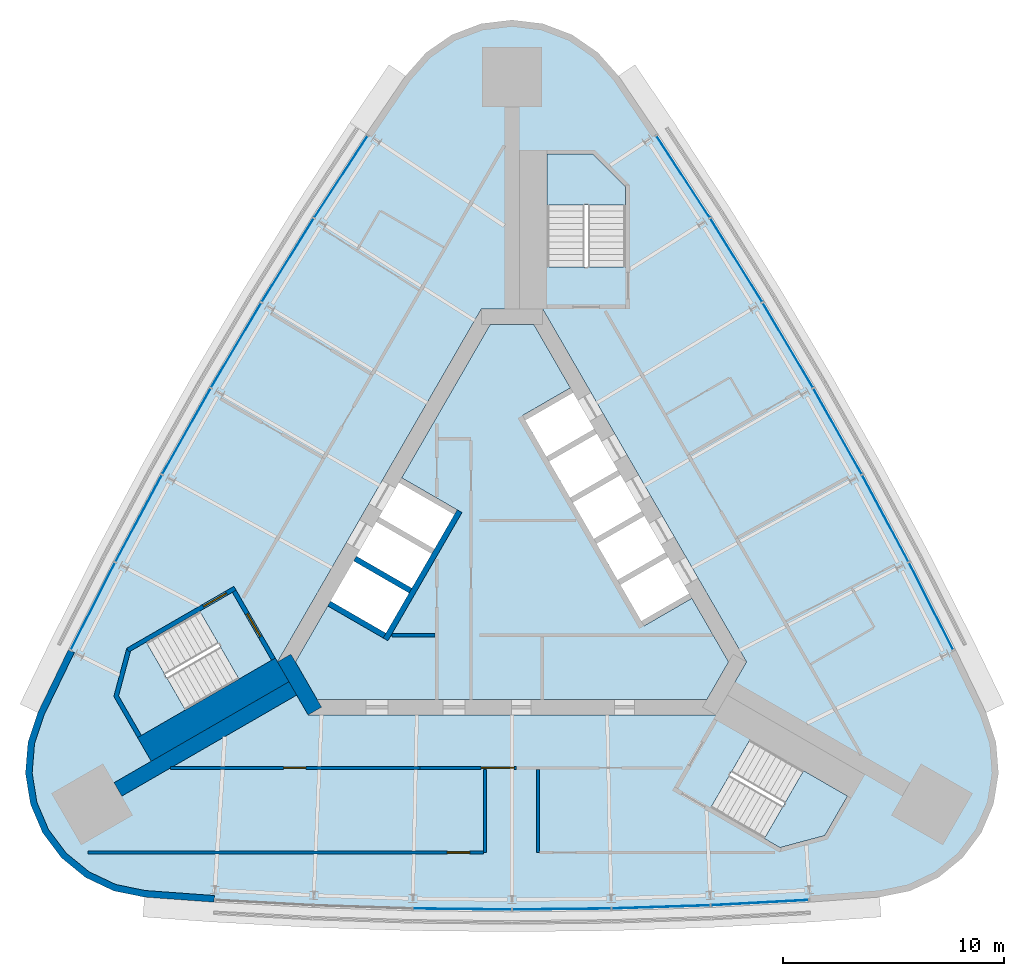
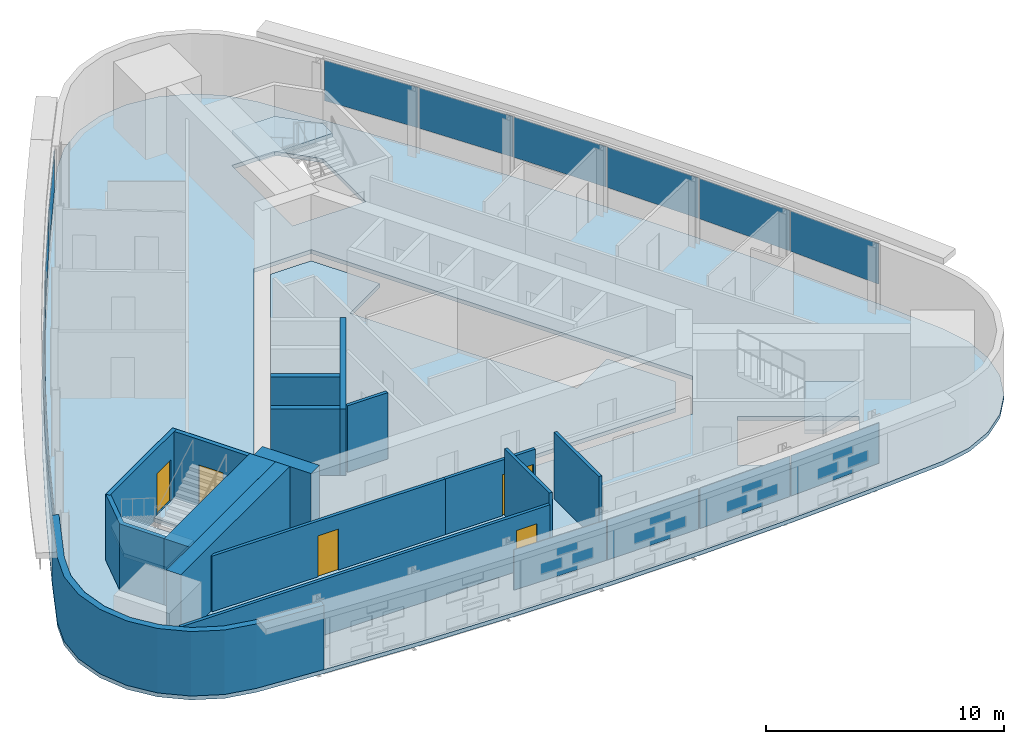
# One storey, part 6 of 10: 16 plates, 16 walls, 5 doors, 5 slabs, 5 openings, 6 elements without a shape of their own.
"""IFC4 building model written with IfcOpenShell, lengths in metres."""

from ifc_helpers import new_model, si_unit, direction, frame, frame_2d, origin, origin_2d, place, context, subcontext, project, spatial, polyline, rectangle, outline, extrude, material, layer, layer_set, type_object, element, fill, aggregate, save


model = new_model("IFC4")

# Units and contexts
model_context = context("Model", 3, precision=1e-05, world=origin(), true_north=direction((0.0, 1.0)))
body_context = subcontext(model_context, "Body", "Model", "MODEL_VIEW")
ifc_project = project(units=[si_unit("LENGTHUNIT", "METRE"), si_unit("AREAUNIT", "SQUARE_METRE"), si_unit("VOLUMEUNIT", "CUBIC_METRE"), si_unit("PLANEANGLEUNIT", "RADIAN"), si_unit("MASSUNIT", "GRAM", prefix="KILO")], contexts=[model_context])

# Site, building, storey
site_placement = place(None, origin())
site = spatial("IfcSite", under=ifc_project, at=site_placement, CompositionType="ELEMENT")
building_placement = place(site_placement, origin())
building = spatial("IfcBuilding", under=site, at=building_placement, Name="Noor Cloister Tower", CompositionType="ELEMENT")
storey_placement = place(building_placement, frame((0.0, 0.0, 195.89990234375)))
storey = spatial("IfcBuildingStorey", under=building, at=storey_placement, Name="L50", CompositionType="ELEMENT", Elevation=195.89990234375)

# Slabs
ifc_material_1 = material(Name="Concrete C40/50", Category="concrete")
ifc_layer_1 = layer(ifc_material_1, 0.199951171875)
ifc_layer_set_1 = layer_set([ifc_layer_1], Name="Core floor slab 200 C40/50")
slab_type_1 = type_object("IfcSlabType", Name="Core floor slab 200 C40/50", PredefinedType="FLOOR", material=ifc_layer_set_1)
slab_1_placement = place(storey_placement, frame((0.0, 0.0, -0.199951171875)))
element("IfcSlab", 1, at=slab_1_placement, inside=storey, type_object=slab_type_1, Name="Core floor L50", PredefinedType="FLOOR", context=body_context, shape_type="SweptSolid", body=[
    extrude(outline(polyline([(2.643798828125, 7.877197265625), (0.9814453125, 10.75634765625), (-0.9814453125, 10.75634765625), (-4.993896484375, 3.806884765625), (-2.482421875, 2.35693359375), (-5.832275390625, -3.4453125), (-8.34375, -1.995361328125), (-9.80615234375, -4.5283203125), (-8.82470703125, -6.228271484375), (8.82470703125, -6.228271484375), (9.80615234375, -4.5283203125), (8.143798828125, -1.64892578125), (5.978759765625, -2.89892578125), (0.478759765625, 6.627197265625), (2.643798828125, 7.877197265625)])), origin(), (0.0, 0.0, 1.0), 0.199951171875),
])
ifc_material_2 = material(Name="Concrete C40/50", Category="concrete")
ifc_layer_2 = layer(ifc_material_2, 0.199951171875)
ifc_layer_set_2 = layer_set([ifc_layer_2], Name="Floor slab 200 C40/50")
slab_type_2 = type_object("IfcSlabType", Name="Floor slab 200 C40/50", PredefinedType="FLOOR", material=ifc_layer_set_2)
slab_2_placement = place(storey_placement, frame((0.0, 0.0, -0.199951171875)))
element("IfcSlab", 2, at=slab_2_placement, inside=storey, type_object=slab_type_2, Name="Floor slab L50", PredefinedType="FLOOR", context=body_context, shape_type="SweptSolid", body=[
    extrude(outline(polyline([(4.82177734375, 21.9990234375), (3.88525390625, 23.056884765625), (2.72314453125, 23.859619140625), (1.40234375, 24.36083984375), (0.0, 24.531005859375), (-1.40234375, 24.36083984375), (-2.72314453125, 23.859619140625), (-3.88525390625, 23.056884765625), (-4.82177734375, 21.9990234375), (-6.59521484375, 19.38525390625), (-9.052490234375, 15.615478515625), (-11.427734375, 11.79345703125), (-13.7197265625, 7.921142578125), (-15.927490234375, 4.0), (-18.0498046875, 0.031982421875), (-20.085693359375, -3.98095703125), (-21.462646484375, -6.823974609375), (-21.910400390625, -8.16357421875), (-22.024658203125, -9.571533203125), (-21.798095703125, -10.966064453125), (-21.24462890625, -12.265625), (-20.39599609375, -13.394775390625), (-19.301513671875, -14.2880859375), (-18.025146484375, -14.893310546875), (-16.640869140625, -15.17529296875), (-13.490478515625, -15.404052734375), (-8.9970703125, -15.6474609375), (-4.499755859375, -15.79345703125), (0.0, -15.84228515625), (4.499755859375, -15.79345703125), (8.9970703125, -15.6474609375), (13.490478515625, -15.404052734375), (16.640869140625, -15.17529296875), (18.025146484375, -14.893310546875), (19.301513671875, -14.2880859375), (20.39599609375, -13.394775390625), (21.24462890625, -12.265625), (21.798095703125, -10.966064453125), (22.024658203125, -9.571533203125), (21.910400390625, -8.16357421875), (21.462646484375, -6.823974609375), (20.085693359375, -3.98095703125), (18.0498046875, 0.031982421875), (15.927490234375, 4.0), (13.7197265625, 7.921142578125), (11.427734375, 11.79345703125), (9.052490234375, 15.615478515625), (6.59521484375, 19.38525390625), (4.82177734375, 21.9990234375)]), holes=[polyline([(8.999755859375, -11.126220703125), (12.131591796875, -12.934326171875), (14.1572265625, -12.3916015625), (15.19091796875, -10.601318359375), (10.774658203125, -8.0517578125), (8.999755859375, -11.126220703125)]), polyline([(-17.81005859375, -6.064697265625), (-16.776611328125, -7.85498046875), (-12.3603515625, -5.305419921875), (-14.13525390625, -2.23095703125), (-16.662841796875, -3.690185546875), (-17.267333984375, -4.039306640625), (-17.81005859375, -6.064697265625)]), polyline([(-10.6142578125, -4.5283203125), (-9.228759765625, -6.92822265625), (9.228759765625, -6.92822265625), (10.6142578125, -4.5283203125), (1.3857421875, 11.456298828125), (-1.3857421875, 11.456298828125), (-10.6142578125, -4.5283203125)]), polyline([(3.65283203125, 18.456298828125), (1.585693359375, 18.456298828125), (1.585693359375, 13.35693359375), (5.135498046875, 13.35693359375), (5.135498046875, 16.9736328125), (3.65283203125, 18.456298828125)])]), origin(), (0.0, 0.0, 1.0), 0.199951171875),
])

# Curtain wall, plates
ifc_material_3 = material(Name="Aluminium 6063-T6 anodised", Category="aluminium")
curtain_wall_type = type_object("IfcCurtainWallType", Name="Ribbon curtain wall, upper tower CW5", PredefinedType="NOTDEFINED", material=ifc_material_3)
curtain_wall_1_placement = place(storey_placement, origin())
curtain_wall_1 = element("IfcCurtainWall", 3, at=curtain_wall_1_placement, inside=storey, type_object=curtain_wall_type, Name="CW5 L50 NW run 1", PredefinedType="NOTDEFINED")
ifc_material_4 = material(Name="Clear laminated glass 2 x 8 mm", Category="glass")
ifc_layer_3 = layer(ifc_material_4, 0.028076171875)
ifc_layer_set_3 = layer_set([ifc_layer_3], Name="Glass panel CW5")
plate_type = type_object("IfcPlateType", Name="Glass panel CW5", PredefinedType="CURTAIN_PANEL", material=ifc_layer_set_3)
plate_1_placement = place(storey_placement, frame((-7.749267578125, 17.431640625, 1.08984375), z_axis=(0.0, 0.0, 1.0), x_axis=(-0.546098188804, -0.837721175681, 0.0)))
plate_1 = element("IfcPlate", 4, at=plate_1_placement, type_object=plate_type, Name="CW5 glass panel 1", PredefinedType="CURTAIN_PANEL", context=body_context, shape_type="SweptSolid", body=[
    extrude(rectangle(XDim=4.413818359375, YDim=0.028076171875, at=origin_2d()), origin(), (0.0, 0.0, 1.0), 2.070068359375),
])
plate_2_placement = place(storey_placement, frame((-10.1552734375, 13.65185546875, 1.08984375), z_axis=(0.0, 0.0, 1.0), x_axis=(-0.527843214256, -0.84934182822, 0.0)))
plate_2 = element("IfcPlate", 5, at=plate_2_placement, type_object=plate_type, Name="CW5 glass panel 2", PredefinedType="CURTAIN_PANEL", context=body_context, shape_type="SweptSolid", body=[
    extrude(rectangle(XDim=4.44775390625, YDim=0.028076171875, at=origin_2d()), origin(), (0.0, 0.0, 1.0), 2.070068359375),
])
plate_3_placement = place(storey_placement, frame((-12.48779296875, 9.806396484375, 1.08984375), z_axis=(0.0, 0.0, 1.0), x_axis=(-0.509341059356, -0.860564747857, 0.0)))
plate_3 = element("IfcPlate", 6, at=plate_3_placement, type_object=plate_type, Name="CW5 glass panel 3", PredefinedType="CURTAIN_PANEL", context=body_context, shape_type="SweptSolid", body=[
    extrude(rectangle(XDim=4.44775390625, YDim=0.028076171875, at=origin_2d()), origin(), (0.0, 0.0, 1.0), 2.070068359375),
])
plate_4_placement = place(storey_placement, frame((-14.736328125, 5.911376953125, 1.08984375), z_axis=(0.0, 0.0, 1.0), x_axis=(-0.490600403568, -0.871384670521, 0.0)))
plate_4 = element("IfcPlate", 7, at=plate_4_placement, type_object=plate_type, Name="CW5 glass panel 4", PredefinedType="CURTAIN_PANEL", context=body_context, shape_type="SweptSolid", body=[
    extrude(rectangle(XDim=4.44775390625, YDim=0.028076171875, at=origin_2d()), origin(), (0.0, 0.0, 1.0), 2.070068359375),
])
plate_5_placement = place(storey_placement, frame((-16.900390625, 1.96875, 1.08984375), z_axis=(0.0, 0.0, 1.0), x_axis=(-0.471629992607, -0.881796546871, 0.0)))
plate_5 = element("IfcPlate", 8, at=plate_5_placement, type_object=plate_type, Name="CW5 glass panel 5", PredefinedType="CURTAIN_PANEL", context=body_context, shape_type="SweptSolid", body=[
    extrude(rectangle(XDim=4.44775390625, YDim=0.028076171875, at=origin_2d()), origin(), (0.0, 0.0, 1.0), 2.070068359375),
])
plate_6_placement = place(storey_placement, frame((-18.970703125, -2.004638671875, 1.08984375), z_axis=(0.0, 0.0, 1.0), x_axis=(-0.452438725026, -0.891795492306, 0.0)))
plate_6 = element("IfcPlate", 9, at=plate_6_placement, type_object=plate_type, Name="CW5 glass panel 6", PredefinedType="CURTAIN_PANEL", context=body_context, shape_type="SweptSolid", body=[
    extrude(rectangle(XDim=4.413818359375, YDim=0.028076171875, at=origin_2d()), origin(), (0.0, 0.0, 1.0), 2.070068359375),
])
aggregate(curtain_wall_1, [plate_1, plate_2, plate_3, plate_4, plate_5, plate_6])

curtain_wall_2_placement = place(storey_placement, origin())
curtain_wall_2 = element("IfcCurtainWall", 10, at=curtain_wall_2_placement, inside=storey, type_object=curtain_wall_type, Name="CW5 L50 S run 2", PredefinedType="NOTDEFINED")
plate_7_placement = place(storey_placement, frame((-2.248779296875, -15.7177734375, 1.08984375), z_axis=(0.0, 0.0, 1.0), x_axis=(0.999941462923, -0.010819922664, 0.0)))
plate_7 = element("IfcPlate", 11, at=plate_7_placement, type_object=plate_type, Name="CW5 glass panel 3", PredefinedType="CURTAIN_PANEL", context=body_context, shape_type="SweptSolid", body=[
    extrude(rectangle(XDim=4.44775390625, YDim=0.028076171875, at=origin_2d()), origin(), (0.0, 0.0, 1.0), 2.070068359375),
])
plate_8_placement = place(storey_placement, frame((2.248779296875, -15.7177734375, 1.08984375), z_axis=(0.0, 0.0, 1.0), x_axis=(0.999941462923, 0.010819922664, 0.0)))
plate_8 = element("IfcPlate", 12, at=plate_8_placement, type_object=plate_type, Name="CW5 glass panel 4", PredefinedType="CURTAIN_PANEL", context=body_context, shape_type="SweptSolid", body=[
    extrude(rectangle(XDim=4.44775390625, YDim=0.028076171875, at=origin_2d()), origin(), (0.0, 0.0, 1.0), 2.070068359375),
])
plate_9_placement = place(storey_placement, frame((6.7451171875, -15.62060546875, 1.08984375), z_axis=(0.0, 0.0, 1.0), x_axis=(0.999473206863, 0.032454718651, 0.0)))
plate_9 = element("IfcPlate", 13, at=plate_9_placement, type_object=plate_type, Name="CW5 glass panel 5", PredefinedType="CURTAIN_PANEL", context=body_context, shape_type="SweptSolid", body=[
    extrude(rectangle(XDim=4.44775390625, YDim=0.028076171875, at=origin_2d()), origin(), (0.0, 0.0, 1.0), 2.070068359375),
])
plate_10_placement = place(storey_placement, frame((11.221435546875, -15.4267578125, 1.08984375), z_axis=(0.0, 0.0, 1.0), x_axis=(0.99853691383, 0.054074316624, 0.0)))
plate_10 = element("IfcPlate", 14, at=plate_10_placement, type_object=plate_type, Name="CW5 glass panel 6", PredefinedType="CURTAIN_PANEL", context=body_context, shape_type="SweptSolid", body=[
    extrude(rectangle(XDim=4.413818359375, YDim=0.028076171875, at=origin_2d()), origin(), (0.0, 0.0, 1.0), 2.070068359375),
])
aggregate(curtain_wall_2, [plate_7, plate_8, plate_9, plate_10])

curtain_wall_3_placement = place(storey_placement, origin())
curtain_wall_3 = element("IfcCurtainWall", 15, at=curtain_wall_3_placement, inside=storey, type_object=curtain_wall_type, Name="CW5 L50 NE run 3", PredefinedType="NOTDEFINED")
plate_11_placement = place(storey_placement, frame((18.970703125, -2.004638671875, 1.08984375), z_axis=(0.0, 0.0, 1.0), x_axis=(-0.452438725026, 0.891795492306, 0.0)))
plate_11 = element("IfcPlate", 16, at=plate_11_placement, type_object=plate_type, Name="CW5 glass panel 1", PredefinedType="CURTAIN_PANEL", context=body_context, shape_type="SweptSolid", body=[
    extrude(rectangle(XDim=4.413818359375, YDim=0.028076171875, at=origin_2d()), origin(), (0.0, 0.0, 1.0), 2.070068359375),
])
plate_12_placement = place(storey_placement, frame((16.900390625, 1.96875, 1.08984375), z_axis=(0.0, 0.0, 1.0), x_axis=(-0.471629992607, 0.881796546871, 0.0)))
plate_12 = element("IfcPlate", 17, at=plate_12_placement, type_object=plate_type, Name="CW5 glass panel 2", PredefinedType="CURTAIN_PANEL", context=body_context, shape_type="SweptSolid", body=[
    extrude(rectangle(XDim=4.44775390625, YDim=0.028076171875, at=origin_2d()), origin(), (0.0, 0.0, 1.0), 2.070068359375),
])
plate_13_placement = place(storey_placement, frame((14.736328125, 5.911376953125, 1.08984375), z_axis=(0.0, 0.0, 1.0), x_axis=(-0.490600403568, 0.871384670521, 0.0)))
plate_13 = element("IfcPlate", 18, at=plate_13_placement, type_object=plate_type, Name="CW5 glass panel 3", PredefinedType="CURTAIN_PANEL", context=body_context, shape_type="SweptSolid", body=[
    extrude(rectangle(XDim=4.44775390625, YDim=0.028076171875, at=origin_2d()), origin(), (0.0, 0.0, 1.0), 2.070068359375),
])
plate_14_placement = place(storey_placement, frame((12.48779296875, 9.806396484375, 1.08984375), z_axis=(0.0, 0.0, 1.0), x_axis=(-0.509341059356, 0.860564747857, 0.0)))
plate_14 = element("IfcPlate", 19, at=plate_14_placement, type_object=plate_type, Name="CW5 glass panel 4", PredefinedType="CURTAIN_PANEL", context=body_context, shape_type="SweptSolid", body=[
    extrude(rectangle(XDim=4.44775390625, YDim=0.028076171875, at=origin_2d()), origin(), (0.0, 0.0, 1.0), 2.070068359375),
])
plate_15_placement = place(storey_placement, frame((10.1552734375, 13.65185546875, 1.08984375), z_axis=(0.0, 0.0, 1.0), x_axis=(-0.527843214256, 0.84934182822, 0.0)))
plate_15 = element("IfcPlate", 20, at=plate_15_placement, type_object=plate_type, Name="CW5 glass panel 5", PredefinedType="CURTAIN_PANEL", context=body_context, shape_type="SweptSolid", body=[
    extrude(rectangle(XDim=4.44775390625, YDim=0.028076171875, at=origin_2d()), origin(), (0.0, 0.0, 1.0), 2.070068359375),
])
plate_16_placement = place(storey_placement, frame((7.749267578125, 17.431640625, 1.08984375), z_axis=(0.0, 0.0, 1.0), x_axis=(-0.546098188804, 0.837721175681, 0.0)))
plate_16 = element("IfcPlate", 21, at=plate_16_placement, type_object=plate_type, Name="CW5 glass panel 6", PredefinedType="CURTAIN_PANEL", context=body_context, shape_type="SweptSolid", body=[
    extrude(rectangle(XDim=4.413818359375, YDim=0.028076171875, at=origin_2d()), origin(), (0.0, 0.0, 1.0), 2.070068359375),
])
aggregate(curtain_wall_3, [plate_11, plate_12, plate_13, plate_14, plate_15, plate_16])

# Stair, slab
ifc_material_5 = material(Name="Concrete C40/50", Category="concrete")
stair_type = type_object("IfcStairType", Name="Exit stair 22 risers", PredefinedType="HALF_TURN_STAIR", material=ifc_material_5)
stair_1_placement = place(storey_placement, origin())
stair_1 = element("IfcStair", 22, at=stair_1_placement, inside=storey, type_object=stair_type, Name="Exit stair ST1 L50", PredefinedType="HALF_TURN_STAIR")
ifc_material_6 = material(Name="Concrete C40/50", Category="concrete")
ifc_layer_4 = layer(ifc_material_6, 0.199951171875)
ifc_layer_set_4 = layer_set([ifc_layer_4], Name="Stair landing 200 C40/50")
slab_type_3 = type_object("IfcSlabType", Name="Stair landing 200 C40/50", PredefinedType="LANDING", material=ifc_layer_set_4)
slab_3_placement = place(storey_placement, frame((0.0, 0.0, 1.60009765625)))
slab_3 = element("IfcSlab", 23, at=slab_3_placement, type_object=slab_type_3, Name="ST1 landing 1", PredefinedType="LANDING", context=body_context, shape_type="SweptSolid", body=[
    extrude(outline(polyline([(5.135498046875, 16.15576171875), (5.135498046875, 16.9736328125), (3.65283203125, 18.456298828125), (1.585693359375, 18.456298828125), (1.585693359375, 16.15576171875), (5.135498046875, 16.15576171875)])), origin(), (0.0, 0.0, 1.0), 0.199951171875),
])
aggregate(stair_1, [slab_3])

stair_2_placement = place(storey_placement, origin())
stair_2 = element("IfcStair", 24, at=stair_2_placement, inside=storey, type_object=stair_type, Name="Exit stair ST2 L50", PredefinedType="HALF_TURN_STAIR")
slab_4_placement = place(storey_placement, frame((0.0, 0.0, 1.60009765625)))
slab_4 = element("IfcSlab", 25, at=slab_4_placement, type_object=slab_type_3, Name="ST2 landing 1", PredefinedType="LANDING", context=body_context, shape_type="SweptSolid", body=[
    extrude(outline(polyline([(-16.55908203125, -3.63037109375), (-17.267333984375, -4.039306640625), (-17.81005859375, -6.064697265625), (-16.776611328125, -7.85498046875), (-14.7841796875, -6.70458984375), (-16.55908203125, -3.63037109375)])), origin(), (0.0, 0.0, 1.0), 0.199951171875),
])
aggregate(stair_2, [slab_4])

stair_3_placement = place(storey_placement, origin())
stair_3 = element("IfcStair", 26, at=stair_3_placement, inside=storey, type_object=stair_type, Name="Exit stair ST3 L50", PredefinedType="HALF_TURN_STAIR")
slab_5_placement = place(storey_placement, frame((0.0, 0.0, 1.60009765625)))
slab_5 = element("IfcSlab", 27, at=slab_5_placement, type_object=slab_type_3, Name="ST3 landing 1", PredefinedType="LANDING", context=body_context, shape_type="SweptSolid", body=[
    extrude(outline(polyline([(11.423583984375, -12.525390625), (12.131591796875, -12.934326171875), (14.1572265625, -12.3916015625), (15.19091796875, -10.601318359375), (13.198486328125, -9.451171875), (11.423583984375, -12.525390625)])), origin(), (0.0, 0.0, 1.0), 0.199951171875),
])
aggregate(stair_3, [slab_5])

# Walls
ifc_material_7 = material(Name="Concrete C70/85", Category="concrete")
ifc_layer_5 = layer(ifc_material_7, 0.699951171875)
ifc_layer_set_5 = layer_set([ifc_layer_5], Name="Buttress wall 700 C70/85")
wall_type_1 = type_object("IfcWallType", Name="Buttress wall 700 C70/85", PredefinedType="SHEAR", material=ifc_layer_set_5)
wall_1_placement = place(storey_placement, frame((-9.921630859375, -5.728271484375, -0.199951171875), z_axis=(0.0, 0.0, 1.0), x_axis=(-0.866026421479, -0.499998237297, 0.0)))
element("IfcWall", 28, at=wall_1_placement, inside=storey, type_object=wall_type_1, Name="Buttress wall SW L50", PredefinedType="SHEAR", context=body_context, shape_type="SweptSolid", body=[
    extrude(rectangle(XDim=9.14453125, YDim=0.699951171875, at=frame_2d((4.572265625, 0.0))), origin(), (0.0, 0.0, 1.0), 3.60009765625),
])
ifc_material_8 = material(Name="Concrete C30/37", Category="concrete")
ifc_layer_6 = layer(ifc_material_8, 0.14990234375)
ifc_layer_set_6 = layer_set([ifc_layer_6], Name="Core partition 150 C30/37")
wall_type_2 = type_object("IfcWallType", Name="Core partition 150 C30/37", PredefinedType="PARTITIONING", material=ifc_layer_set_6)
wall_2_placement = place(storey_placement, frame((-5.430908203125, -3.328125, 0.0), z_axis=(0.0, 0.0, 1.0), x_axis=(1.0, 0.0, 0.0)))
element("IfcWall", 29, at=wall_2_placement, inside=storey, type_object=wall_type_2, Name="Core room partition L50 1", PredefinedType="PARTITIONING", context=body_context, shape_type="SweptSolid", body=[
    extrude(rectangle(XDim=1.9521484375, YDim=0.14990234375, at=frame_2d((0.97607421875, 0.0))), origin(), (0.0, 0.0, 1.0), 3.400146484375),
])
ifc_material_9 = material(Name="Concrete C70/85", Category="concrete")
ifc_layer_7 = layer(ifc_material_9, 0.699951171875)
ifc_layer_set_7 = layer_set([ifc_layer_7], Name="Core wall 700 C70/85")
wall_type_3 = type_object("IfcWallType", Name="Core wall 700 C70/85", PredefinedType="SHEAR", material=ifc_layer_set_7)
wall_3_placement = place(storey_placement, frame((-10.311279296875, -4.353271484375, -0.199951171875), z_axis=(0.0, 0.0, 1.0), x_axis=(0.500042739161, -0.866000726912, 0.0)))
element("IfcWall", 30, at=wall_3_placement, inside=storey, type_object=wall_type_3, Name="Core wall L50 6", PredefinedType="SHEAR", context=body_context, shape_type="SweptSolid", body=[
    extrude(rectangle(XDim=2.771240234375, YDim=0.699951171875, at=frame_2d((1.3857421875, 0.0))), origin(), (0.0, 0.0, 1.0), 3.60009765625),
])

# Wall, opening, door
ifc_material_10 = material(Name="Gypsum board partition on steel studs, 150 mm", Category="steel")
ifc_layer_8 = layer(ifc_material_10, 0.14990234375)
ifc_layer_set_8 = layer_set([ifc_layer_8], Name="Flat wall 150")
wall_type_4 = type_object("IfcWallType", Name="Flat wall 150", PredefinedType="PARTITIONING", material=ifc_layer_set_8)
wall_4_placement = place(storey_placement, frame((-15.45703125, -9.328125, 0.0), z_axis=(0.0, 0.0, 1.0), x_axis=(1.0, 0.0, 0.0)))
wall_4 = element("IfcWall", 31, at=wall_4_placement, inside=storey, type_object=wall_type_4, Name="Wall L50-W11", PredefinedType="PARTITIONING", context=body_context, shape_type="SweptSolid", body=[
    extrude(rectangle(XDim=11.29736328125, YDim=0.14990234375, at=frame_2d((5.648681640625, 0.0))), origin(), (0.0, 0.0, 1.0), 2.85205078125),
])
opening_1_placement = place(wall_4_placement, frame((5.12353515625, 0.0, 0.0)))
opening_1 = element("IfcOpeningElement", 32, at=opening_1_placement, cuts=wall_4, Name="Opening L50-009", PredefinedType="OPENING", context=body_context, shape_type="SweptSolid", body=[
    extrude(rectangle(XDim=1.0, YDim=2.10009765625, at=frame_2d((0.5, 1.050048828125))), frame((0.0, 0.0849609375, 0.0), z_axis=(0.0, -1.0, 0.0), x_axis=(1.0, 0.0, 0.0)), (0.0, 0.0, 1.0), 0.169921875),
])
ifc_material_11 = material(Name="Timber door leaf with steel frame", Category="steel")
door_type_1 = type_object("IfcDoorType", Name="Interior door 1000 FD60", OperationType="NOTDEFINED", PredefinedType="DOOR", material=ifc_material_11)
door_1_placement = place(opening_1_placement, origin())
door_1 = element("IfcDoor", 33, at=door_1_placement, inside=storey, type_object=door_type_1, Name="Door L50-009", OperationType="SINGLE_SWING_LEFT", OverallHeight=2.10009765625, OverallWidth=1.0, PredefinedType="DOOR", context=body_context, shape_type="SweptSolid", body=[
    extrude(rectangle(XDim=1.0, YDim=2.10009765625, at=frame_2d((0.5, 1.050048828125))), frame((0.0, 0.02490234375, 0.0), z_axis=(0.0, -1.0, 0.0), x_axis=(1.0, 0.0, 0.0)), (0.0, 0.0, 1.0), 0.050048828125),
])
fill(opening_1, door_1)

wall_5_placement = place(storey_placement, frame((-4.15966796875, -9.328125, 0.0), z_axis=(0.0, 0.0, 1.0), x_axis=(1.0, 0.0, 0.0)))
wall_5 = element("IfcWall", 34, at=wall_5_placement, inside=storey, type_object=wall_type_4, Name="Wall L50-W13", PredefinedType="PARTITIONING", context=body_context, shape_type="SweptSolid", body=[
    extrude(rectangle(XDim=4.359619140625, YDim=0.14990234375, at=frame_2d((2.1796875, 0.0))), origin(), (0.0, 0.0, 1.0), 2.85205078125),
])
opening_2_placement = place(wall_5_placement, frame((2.759765625, 0.0, 0.0)))
opening_2 = element("IfcOpeningElement", 35, at=opening_2_placement, cuts=wall_5, Name="Opening L50-007", PredefinedType="OPENING", context=body_context, shape_type="SweptSolid", body=[
    extrude(rectangle(XDim=1.5, YDim=2.10009765625, at=frame_2d((0.75, 1.050048828125))), frame((0.0, 0.0849609375, 0.0), z_axis=(0.0, -1.0, 0.0), x_axis=(1.0, 0.0, 0.0)), (0.0, 0.0, 1.0), 0.169921875),
])
ifc_material_12 = material(Name="Timber door leaf with steel frame", Category="steel")
door_type_2 = type_object("IfcDoorType", Name="Double door 1500 FD60", OperationType="NOTDEFINED", PredefinedType="DOOR", material=ifc_material_12)
door_2_placement = place(opening_2_placement, origin())
door_2 = element("IfcDoor", 36, at=door_2_placement, inside=storey, type_object=door_type_2, Name="Door L50-007", OperationType="DOUBLE_DOOR_SINGLE_SWING", OverallHeight=2.10009765625, OverallWidth=1.5, PredefinedType="DOOR", context=body_context, shape_type="SweptSolid", body=[
    extrude(rectangle(XDim=1.5, YDim=2.10009765625, at=frame_2d((0.75, 1.050048828125))), frame((0.0, 0.02490234375, 0.0), z_axis=(0.0, -1.0, 0.0), x_axis=(1.0, 0.0, 0.0)), (0.0, 0.0, 1.0), 0.050048828125),
])
fill(opening_2, door_2)

# Walls
for number, where, z_axis, x_axis, name in (
    (37, (-1.221435546875, -9.4033203125, 0.0), (0.0, 0.0, 1.0), (0.0, -1.0, 0.0), "Wall L50-W14"),
    (38, (1.1787109375, -9.4033203125, 0.0), (0.0, 0.0, 1.0), (0.0, -1.0, 0.0), "Wall L50-W15"),
):
    element("IfcWall", number, at=place(storey_placement, frame(where, z_axis=z_axis, x_axis=x_axis)), inside=storey, type_object=wall_type_4, Name=name, PredefinedType="PARTITIONING", context=body_context, shape_type="SweptSolid", body=[
        extrude(rectangle(XDim=3.752685546875, YDim=0.14990234375, at=frame_2d((1.87646484375, 0.0))), origin(), (0.0, 0.0, 1.0), 3.400146484375),
    ])

# Wall, opening, door
wall_6_placement = place(storey_placement, frame((-19.18701171875, -13.156005859375, 0.0), z_axis=(0.0, 0.0, 1.0), x_axis=(1.0, 0.0, 0.0)))
wall_6 = element("IfcWall", 39, at=wall_6_placement, inside=storey, type_object=wall_type_4, Name="Wall L50-W16", PredefinedType="PARTITIONING", context=body_context, shape_type="SweptSolid", body=[
    extrude(rectangle(XDim=17.890625, YDim=0.14990234375, at=frame_2d((8.9453125, 0.0))), origin(), (0.0, 0.0, 1.0), 2.85205078125),
])
opening_3_placement = place(wall_6_placement, frame((16.265625, 0.0, 0.0)))
opening_3 = element("IfcOpeningElement", 40, at=opening_3_placement, cuts=wall_6, Name="Opening L50-008", PredefinedType="OPENING", context=body_context, shape_type="SweptSolid", body=[
    extrude(rectangle(XDim=1.0, YDim=2.10009765625, at=frame_2d((0.5, 1.050048828125))), frame((0.0, 0.0849609375, 0.0), z_axis=(0.0, -1.0, 0.0), x_axis=(1.0, 0.0, 0.0)), (0.0, 0.0, 1.0), 0.169921875),
])
door_3_placement = place(opening_3_placement, origin())
door_3 = element("IfcDoor", 41, at=door_3_placement, inside=storey, type_object=door_type_1, Name="Door L50-008", OperationType="SINGLE_SWING_RIGHT", OverallHeight=2.10009765625, OverallWidth=1.0, PredefinedType="DOOR", context=body_context, shape_type="SweptSolid", body=[
    extrude(rectangle(XDim=1.0, YDim=2.10009765625, at=frame_2d((0.5, 1.050048828125))), frame((0.0, 0.02490234375, 0.0), z_axis=(0.0, -1.0, 0.0), x_axis=(1.0, 0.0, 0.0)), (0.0, 0.0, 1.0), 0.050048828125),
])
fill(opening_3, door_3)

# Walls
ifc_material_13 = material(Name="Limestone", Category="masonry")
ifc_layer_9 = layer(ifc_material_13, 0.300048828125)
ifc_layer_set_9 = layer_set([ifc_layer_9], Name="Limestone cladding 300")
wall_type_5 = type_object("IfcWallType", Name="Limestone cladding 300", PredefinedType="NOTDEFINED", material=ifc_layer_set_9)
wall_7_placement = place(storey_placement, origin())
element("IfcWall", 42, at=wall_7_placement, inside=storey, type_object=wall_type_5, Name="Limestone pier cladding L50 1.1", PredefinedType="NOTDEFINED", context=body_context, shape_type="SweptSolid", body=[
    extrude(outline(polyline([(-20.085693359375, -3.98095703125), (-21.462646484375, -6.823974609375), (-21.910400390625, -8.16357421875), (-22.024658203125, -9.571533203125), (-21.798095703125, -10.966064453125), (-21.24462890625, -12.265625), (-20.39599609375, -13.394775390625), (-19.301513671875, -14.2880859375), (-18.025146484375, -14.893310546875), (-16.640869140625, -15.17529296875), (-13.490478515625, -15.404052734375), (-13.46875, -15.10498046875), (-16.60009765625, -14.87744140625), (-17.929443359375, -14.6064453125), (-19.14013671875, -14.032470703125), (-20.177978515625, -13.185546875), (-20.98291015625, -12.114501953125), (-21.5078125, -10.8818359375), (-21.72265625, -9.5595703125), (-21.614501953125, -8.22412109375), (-21.184326171875, -6.937255859375), (-19.815673828125, -4.11181640625), (-20.085693359375, -3.98095703125)])), origin(), (0.0, 0.0, 1.0), 3.300048828125),
])
ifc_material_14 = material(Name="Concrete C70/85", Category="concrete")
ifc_layer_10 = layer(ifc_material_14, 0.25)
ifc_layer_set_10 = layer_set([ifc_layer_10], Name="Shaft wall 250 C70/85")
wall_type_6 = type_object("IfcWallType", Name="Shaft wall 250 C70/85", PredefinedType="PARTITIONING", material=ifc_layer_set_10)
for number, where, z_axis, x_axis, name in (
    (43, (-7.106201171875, 0.14794921875, -0.199951171875), (0.0, 0.0, 1.0), (0.866032775405, -0.499987231761, 0.0), "Lift shaft wall L50 NW 5"),
    (44, (-8.28125, -1.88720703125, -0.199951171875), (0.0, 0.0, 1.0), (0.866032775405, -0.499987231761, 0.0), "Lift shaft wall L50 NW 6"),
):
    element("IfcWall", number, at=place(storey_placement, frame(where, z_axis=z_axis, x_axis=x_axis)), inside=storey, type_object=wall_type_6, Name=name, PredefinedType="PARTITIONING", context=body_context, shape_type="SweptSolid", body=[
        extrude(rectangle(XDim=2.89990234375, YDim=0.25, at=frame_2d((1.449951171875, 0.0))), origin(), (0.0, 0.0, 1.0), 3.60009765625),
    ])
wall_8_placement = place(storey_placement, frame((-2.3740234375, 2.29443359375, 0.0), z_axis=(0.0, 0.0, 1.0), x_axis=(-0.500003174267, -0.866023571113, 0.0)))
element("IfcWall", 45, at=wall_8_placement, inside=storey, type_object=wall_type_6, Name="Lift shaft back wall L50 NW", PredefinedType="PARTITIONING", context=body_context, shape_type="SweptSolid", body=[
    extrude(rectangle(XDim=6.7001953125, YDim=0.25, at=frame_2d((3.35009765625, 0.0))), origin(), (0.0, 0.0, 1.0), 3.400146484375),
])
ifc_material_15 = material(Name="Concrete C70/85", Category="concrete")
ifc_layer_11 = layer(ifc_material_15, 1.236083984375)
ifc_layer_set_11 = layer_set([ifc_layer_11], Name="Stair enclosure wall 1236 C70/85")
wall_type_7 = type_object("IfcWallType", Name="Stair enclosure wall 1236 C70/85", PredefinedType="SHEAR", material=ifc_layer_set_11)
wall_9_placement = place(storey_placement, frame((-10.405517578125, -4.889892578125, -0.199951171875), z_axis=(0.0, 0.0, 1.0), x_axis=(-0.866018442252, -0.500012057535, 0.0)))
element("IfcWall", 46, at=wall_9_placement, inside=storey, type_object=wall_type_7, Name="Stair enclosure wall ST2 L50 riser side", PredefinedType="SHEAR", context=body_context, shape_type="SweptSolid", body=[
    extrude(rectangle(XDim=7.199951171875, YDim=1.235595703125, at=frame_2d((3.60009765625, 0.0))), origin(), (0.0, 0.0, 1.0), 3.60009765625),
])

# Wall, opening, door
ifc_material_16 = material(Name="Concrete C70/85", Category="concrete")
ifc_layer_12 = layer(ifc_material_16, 0.199951171875)
ifc_layer_set_12 = layer_set([ifc_layer_12], Name="Stair enclosure wall 200 C70/85")
wall_type_8 = type_object("IfcWallType", Name="Stair enclosure wall 200 C70/85", PredefinedType="SHEAR", material=ifc_layer_set_12)
wall_10_placement = place(storey_placement, frame((-12.575927734375, -1.33056640625, -0.199951171875), z_axis=(0.0, 0.0, 1.0), x_axis=(0.499970499736, -0.8660424351, 0.0)))
wall_10 = element("IfcWall", 47, at=wall_10_placement, inside=storey, type_object=wall_type_8, Name="Stair enclosure wall ST2 L50 near end", PredefinedType="SHEAR", context=body_context, shape_type="SweptSolid", body=[
    extrude(rectangle(XDim=3.550048828125, YDim=0.199951171875, at=frame_2d((1.77490234375, 0.0))), origin(), (0.0, 0.0, 1.0), 3.60009765625),
])
opening_4_placement = place(wall_10_placement, frame((1.175048828125, 0.0, 0.199951171875)))
opening_4 = element("IfcOpeningElement", 48, at=opening_4_placement, cuts=wall_10, Name="Opening L50-ST2L", PredefinedType="OPENING", context=body_context, shape_type="SweptSolid", body=[
    extrude(rectangle(XDim=1.199951171875, YDim=2.10009765625, at=frame_2d((0.60009765625, 1.050048828125))), frame((0.0, 0.10986328125, 0.0), z_axis=(0.0, -1.0, 0.0), x_axis=(1.0, 0.0, 0.0)), (0.0, 0.0, 1.0), 0.219970703125),
])
ifc_material_17 = material(Name="Steel", Category="steel")
door_type_3 = type_object("IfcDoorType", Name="Stair door 1200 x 2100 FD120", OperationType="SINGLE_SWING_LEFT", PredefinedType="DOOR", material=ifc_material_17)
door_4_placement = place(opening_4_placement, origin())
door_4 = element("IfcDoor", 49, at=door_4_placement, inside=storey, type_object=door_type_3, Name="Stair door ST2 L50", OperationType="SINGLE_SWING_RIGHT", OverallHeight=2.10009765625, OverallWidth=1.199951171875, PredefinedType="DOOR", context=body_context, shape_type="SweptSolid", body=[
    extrude(rectangle(XDim=1.199951171875, YDim=2.10009765625, at=frame_2d((0.60009765625, 1.050048828125))), frame((0.0, 0.02490234375, 0.0), z_axis=(0.0, -1.0, 0.0), x_axis=(1.0, 0.0, 0.0)), (0.0, 0.0, 1.0), 0.050048828125),
])
fill(opening_4, door_4)

wall_11_placement = place(storey_placement, frame((-12.539306640625, -1.194091796875, -0.199951171875), z_axis=(0.0, 0.0, 1.0), x_axis=(-0.866045472092, -0.499965239061, 0.0)))
wall_11 = element("IfcWall", 50, at=wall_11_placement, inside=storey, type_object=wall_type_8, Name="Stair enclosure wall ST2 L50 outer side", PredefinedType="SHEAR", context=body_context, shape_type="SweptSolid", body=[
    extrude(rectangle(XDim=5.60009765625, YDim=0.199951171875, at=frame_2d((2.800048828125, 0.0))), origin(), (0.0, 0.0, 1.0), 3.60009765625),
])
opening_5_placement = place(wall_11_placement, frame((0.449951171875, 0.0, 0.199951171875)))
opening_5 = element("IfcOpeningElement", 51, at=opening_5_placement, cuts=wall_11, Name="Opening L50-ST2C", PredefinedType="OPENING", context=body_context, shape_type="SweptSolid", body=[
    extrude(rectangle(XDim=1.199951171875, YDim=2.10009765625, at=frame_2d((0.60009765625, 1.050048828125))), frame((0.0, 0.10986328125, 0.0), z_axis=(0.0, -1.0, 0.0), x_axis=(1.0, 0.0, 0.0)), (0.0, 0.0, 1.0), 0.219970703125),
])
door_5_placement = place(opening_5_placement, origin())
door_5 = element("IfcDoor", 52, at=door_5_placement, inside=storey, type_object=door_type_3, Name="Stair door ST2 L50", OperationType="SINGLE_SWING_LEFT", OverallHeight=2.10009765625, OverallWidth=1.199951171875, PredefinedType="DOOR", context=body_context, shape_type="SweptSolid", body=[
    extrude(rectangle(XDim=1.199951171875, YDim=2.10009765625, at=frame_2d((0.60009765625, 1.050048828125))), frame((0.0, 0.02490234375, 0.0), z_axis=(0.0, -1.0, 0.0), x_axis=(1.0, 0.0, 0.0)), (0.0, 0.0, 1.0), 0.050048828125),
])
fill(opening_5, door_5)

# Wall
ifc_material_18 = material(Name="Concrete C70/85", Category="concrete")
wall_type_9 = type_object("IfcWallType", Name="Stair far end wall C70/85", PredefinedType="SHEAR", material=ifc_material_18)
wall_12_placement = place(storey_placement, frame((0.0, 0.0, -0.199951171875)))
element("IfcWall", 53, at=wall_12_placement, inside=storey, type_object=wall_type_9, Name="Stair enclosure wall ST2 L50 far end", PredefinedType="SHEAR", context=body_context, shape_type="SweptSolid", body=[
    extrude(outline(polyline([(-17.439208984375, -3.907470703125), (-18.024658203125, -6.093017578125), (-16.94970703125, -7.955078125), (-16.776611328125, -7.85498046875), (-17.81005859375, -6.064697265625), (-17.267333984375, -4.039306640625), (-17.339111328125, -4.08056640625), (-17.339111328125, -4.08056640625), (-17.339111328125, -4.08056640625), (-17.339111328125, -4.08056640625), (-17.339111328125, -4.08056640625), (-17.339111328125, -4.08056640625), (-17.339111328125, -4.08056640625), (-17.339111328125, -4.08056640625), (-17.339111328125, -4.08056640625), (-17.339111328125, -4.08056640625), (-17.339111328125, -4.08056640625), (-17.339111328125, -4.08056640625), (-17.339111328125, -4.08056640625), (-17.339111328125, -4.08056640625), (-17.339111328125, -4.08056640625), (-17.339111328125, -4.08056640625), (-17.339111328125, -4.08056640625), (-17.439208984375, -3.907470703125)])), origin(), (0.0, 0.0, 1.0), 3.60009765625),
])

save(model, "model.ifc")
